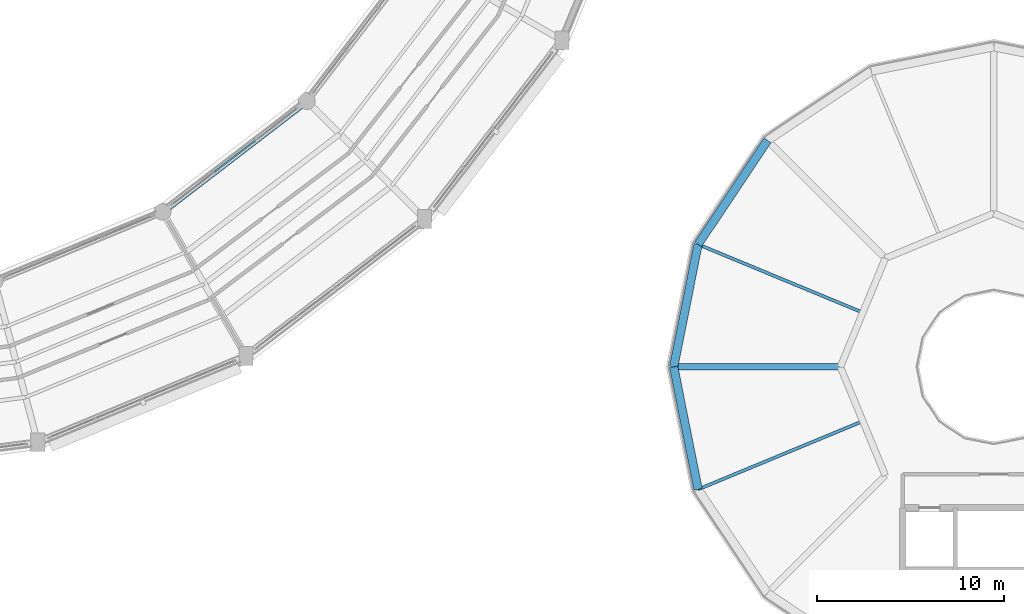
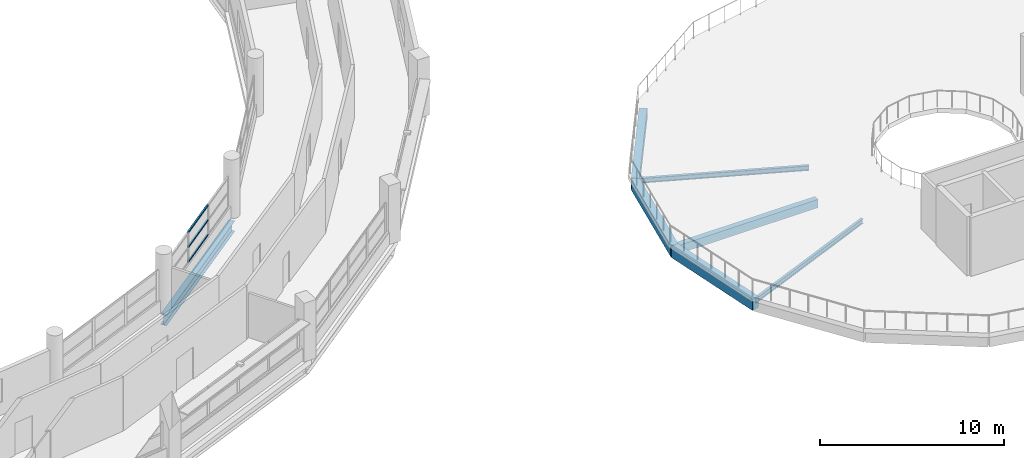
# One storey, part 48 of 108: 7 beams, 3 members, 1 element without a shape of its own.
"""IFC4 building model written with IfcOpenShell, lengths in metres."""

from ifc_helpers import new_model, si_unit, direction, frame, origin, origin_2d, place, context, subcontext, project, spatial, rectangle, hollow_rectangle, i_section, extrude, material, layer, layer_set, material_profile, profile_set, type_object, element, aggregate, save


model = new_model("IFC4")

# Units and contexts
model_context = context("Model", 3, precision=1e-05, world=origin(), true_north=direction((0.0, 1.0)))
body_context = subcontext(model_context, "Body", "Model", "MODEL_VIEW")
ifc_project = project(units=[si_unit("LENGTHUNIT", "METRE"), si_unit("AREAUNIT", "SQUARE_METRE"), si_unit("VOLUMEUNIT", "CUBIC_METRE"), si_unit("PLANEANGLEUNIT", "RADIAN"), si_unit("MASSUNIT", "GRAM", prefix="KILO")], contexts=[model_context])

# Site, building, storey
site_placement = place(None, origin())
site = spatial("IfcSite", under=ifc_project, at=site_placement, CompositionType="ELEMENT")
building_placement = place(site_placement, origin())
building = spatial("IfcBuilding", under=site, at=building_placement, Name="Vespera Passage Community Centre", CompositionType="ELEMENT")
storey_placement = place(building_placement, frame((0.0, 0.0, 12.60009765625)))
storey = spatial("IfcBuildingStorey", under=building, at=storey_placement, Name="L03", CompositionType="ELEMENT", Elevation=12.60009765625)

# Beams
ifc_material_1 = material(Name="Concrete f'c 35 MPa", Category="concrete")
ifc_material_profile_1 = material_profile(ifc_material_1, rectangle(XDim=0.35009765625, YDim=0.550048828125, at=origin_2d()), Name="RC350X550")
ifc_profile_set_1 = profile_set([ifc_material_profile_1], Name="Concrete f'c 35 MPa")
beam_type_1 = type_object("IfcBeamType", Name="BM-J-350X550", PredefinedType="JOIST", material=ifc_profile_set_1)
beam_1_placement = place(storey_placement, frame((132.800048828125, 25.0, -0.5751953125), z_axis=(-1.0, 0.0, 0.0), x_axis=(0.0, -1.0, 0.0)))
element("IfcBeam", 1, at=beam_1_placement, inside=storey, type_object=beam_type_1, Name="V3 L03 Radial Girder 5", PredefinedType="JOIST", context=body_context, shape_type="SweptSolid", body=[
    extrude(rectangle(XDim=0.35009765625, YDim=0.550048828125, at=origin_2d()), origin(), (0.0, 0.0, 1.0), 8.900146484375),
])
ifc_material_2 = material(Name="Steel ASTM A992 Grade 50", Category="steel")
ifc_material_profile_2 = material_profile(ifc_material_2, i_section(OverallWidth=0.16650390625, OverallDepth=0.3173828125, WebThickness=0.007568359375, FlangeThickness=0.01318359375, FilletRadius=0.007568359375, at=origin_2d()), Name="W12X35")
ifc_profile_set_2 = profile_set([ifc_material_profile_2], Name="Steel ASTM A992 Grade 50")
beam_type_2 = type_object("IfcBeamType", Name="BM-J-W12X35", PredefinedType="JOIST", material=ifc_profile_set_2)
for number, where, z_axis, x_axis, name in (
    (2, (134.0009765625, 27.899169921875, -0.458984375), (-0.923880304795, 0.382681567901, 0.0), (-0.382681567901, -0.923880304795, 0.0), "V3 L03 Secondary Joist 4"),
    (3, (134.0009765625, 22.100830078125, -0.458984375), (-0.923880304795, -0.382681567901, 0.0), (0.382681567901, -0.923880304795, 0.0), "V3 L03 Secondary Joist 5"),
):
    element("IfcBeam", number, at=place(storey_placement, frame(where, z_axis=z_axis, x_axis=x_axis)), inside=storey, type_object=beam_type_2, Name=name, PredefinedType="JOIST", context=body_context, shape_type="SweptSolid", body=[
        extrude(i_section(OverallWidth=0.16650390625, OverallDepth=0.3173828125, WebThickness=0.007568359375, FlangeThickness=0.01318359375, FilletRadius=0.007568359375, at=origin_2d()), origin(), (0.0, 0.0, 1.0), 9.5244140625),
    ])
ifc_material_3 = material(Name="Concrete f'c 35 MPa", Category="concrete")
ifc_material_profile_3 = material_profile(ifc_material_3, rectangle(XDim=0.449951171875, YDim=0.75, at=origin_2d()), Name="RC450X750")
ifc_profile_set_3 = profile_set([ifc_material_profile_3], Name="Concrete f'c 35 MPa")
beam_type_3 = type_object("IfcBeamType", Name="BM-SP-450X750E", PredefinedType="SPANDREL", material=ifc_profile_set_3)
for number, where, z_axis, x_axis, name in (
    (4, (128.908447265625, 37.091552734375, -0.675048828125), (-0.55556964639, -0.831470004276, 0.0), (0.831470004276, -0.55556964639, 0.0), "V3 L03 Spandrel 7"),
    (5, (125.20166015625, 31.5439453125, -0.675048828125), (-0.195102743632, -0.980782809509, 0.0), (0.980782809509, -0.195102743632, 0.0), "V3 L03 Spandrel 8"),
    (6, (123.89990234375, 25.0, -0.675048828125), (0.195102743632, -0.980782809509, 0.0), (0.980782809509, 0.195102743632, 0.0), "V3 L03 Spandrel 9"),
):
    element("IfcBeam", number, at=place(storey_placement, frame(where, z_axis=z_axis, x_axis=x_axis)), inside=storey, type_object=beam_type_3, Name=name, PredefinedType="SPANDREL", context=body_context, shape_type="SweptSolid", body=[
        extrude(rectangle(XDim=0.449951171875, YDim=0.75, at=origin_2d()), origin(), (0.0, 0.0, 1.0), 6.672119140625),
    ])
ifc_material_4 = material(Name="Steel ASTM A992 Grade 50", Category="steel")
ifc_material_profile_4 = material_profile(ifc_material_4, i_section(OverallWidth=0.3544921875, OverallDepth=0.695556640625, WebThickness=0.015380859375, FlangeThickness=0.024658203125, FilletRadius=0.01513671875, at=origin_2d()), Name="W27X146")
ifc_profile_set_4 = profile_set([ifc_material_profile_4], Name="Steel ASTM A992 Grade 50")
beam_type_4 = type_object("IfcBeamType", Name="BM-SP-W27X146E", PredefinedType="SPANDREL", material=ifc_profile_set_4)
beam_2_placement = place(storey_placement, frame((96.60009765625, 33.283935546875, -0.747802734375), z_axis=(0.793359869694, 0.60875291963, 0.0), x_axis=(-0.60875291963, 0.793359869694, 0.0)))
element("IfcBeam", 7, at=beam_2_placement, inside=storey, type_object=beam_type_4, Name="V4 L03 Inner Spandrel 20", PredefinedType="SPANDREL", context=body_context, shape_type="SweptSolid", body=[
    extrude(i_section(OverallWidth=0.3544921875, OverallDepth=0.695556640625, WebThickness=0.015380859375, FlangeThickness=0.024658203125, FilletRadius=0.01513671875, at=origin_2d()), origin(), (0.0, 0.0, 1.0), 9.7109375),
])

# Curtain wall, members
ifc_material_5 = material(Name="Anodized aluminium 6063-T6", Category="aluminium")
ifc_layer = layer(ifc_material_5, 0.159912109375)
ifc_layer_set = layer_set([ifc_layer], Name="Anodized aluminium 6063-T6")
curtain_wall_type = type_object("IfcCurtainWallType", Name="CW-45E", PredefinedType="NOTDEFINED", material=ifc_layer_set)
curtain_wall_placement = place(storey_placement, origin())
curtain_wall = element("IfcCurtainWall", 8, at=curtain_wall_placement, inside=storey, type_object=curtain_wall_type, Name="V4 L03 Inner Court Curtain Wall 20", PredefinedType="NOTDEFINED")
ifc_material_6 = material(Name="Anodized aluminium 6063-T6", Category="aluminium")
ifc_material_profile_5 = material_profile(ifc_material_6, hollow_rectangle(XDim=0.10009765625, YDim=0.10009765625, WallThickness=0.00390625, InnerFilletRadius=0.001953125, OuterFilletRadius=0.00390625, at=origin_2d()), Name="ALU100X100X4")
ifc_profile_set_5 = profile_set([ifc_material_profile_5], Name="Anodized aluminium 6063-T6")
member_type = type_object("IfcMemberType", Name="MB-CWT-100E", PredefinedType="USERDEFINED", material=ifc_profile_set_5)
member_1_placement = place(storey_placement, frame((99.350830078125, 35.39453125, 0.869873046875), z_axis=(0.793335989748, 0.60878404001, 0.0), x_axis=(-0.60878404001, 0.793335989748, 0.0)))
member_1 = element("IfcMember", 9, at=member_1_placement, type_object=member_type, Name="CW-45E transom 2.1", ObjectType="TRANSOM", PredefinedType="USERDEFINED", context=body_context, shape_type="SweptSolid", body=[
    extrude(hollow_rectangle(XDim=0.10009765625, YDim=0.10009765625, WallThickness=0.00390625, InnerFilletRadius=0.001953125, OuterFilletRadius=0.00390625, at=origin_2d()), origin(), (0.0, 0.0, 1.0), 2.776611328125),
])
member_2_placement = place(storey_placement, frame((99.350830078125, 35.39453125, 1.844482421875), z_axis=(0.793335989748, 0.60878404001, 0.0), x_axis=(-0.60878404001, 0.793335989748, 0.0)))
member_2 = element("IfcMember", 10, at=member_2_placement, type_object=member_type, Name="CW-45E transom 2.2", ObjectType="TRANSOM", PredefinedType="USERDEFINED", context=body_context, shape_type="SweptSolid", body=[
    extrude(hollow_rectangle(XDim=0.10009765625, YDim=0.10009765625, WallThickness=0.00390625, InnerFilletRadius=0.001953125, OuterFilletRadius=0.00390625, at=origin_2d()), origin(), (0.0, 0.0, 1.0), 2.776611328125),
])
member_3_placement = place(storey_placement, frame((99.350830078125, 35.39453125, 2.8193359375), z_axis=(0.793335989748, 0.60878404001, 0.0), x_axis=(-0.60878404001, 0.793335989748, 0.0)))
member_3 = element("IfcMember", 11, at=member_3_placement, type_object=member_type, Name="CW-45E transom 2.3", ObjectType="TRANSOM", PredefinedType="USERDEFINED", context=body_context, shape_type="SweptSolid", body=[
    extrude(hollow_rectangle(XDim=0.10009765625, YDim=0.10009765625, WallThickness=0.00390625, InnerFilletRadius=0.001953125, OuterFilletRadius=0.00390625, at=origin_2d()), origin(), (0.0, 0.0, 1.0), 2.776611328125),
])
aggregate(curtain_wall, [member_1, member_2, member_3])

save(model, "model.ifc")
